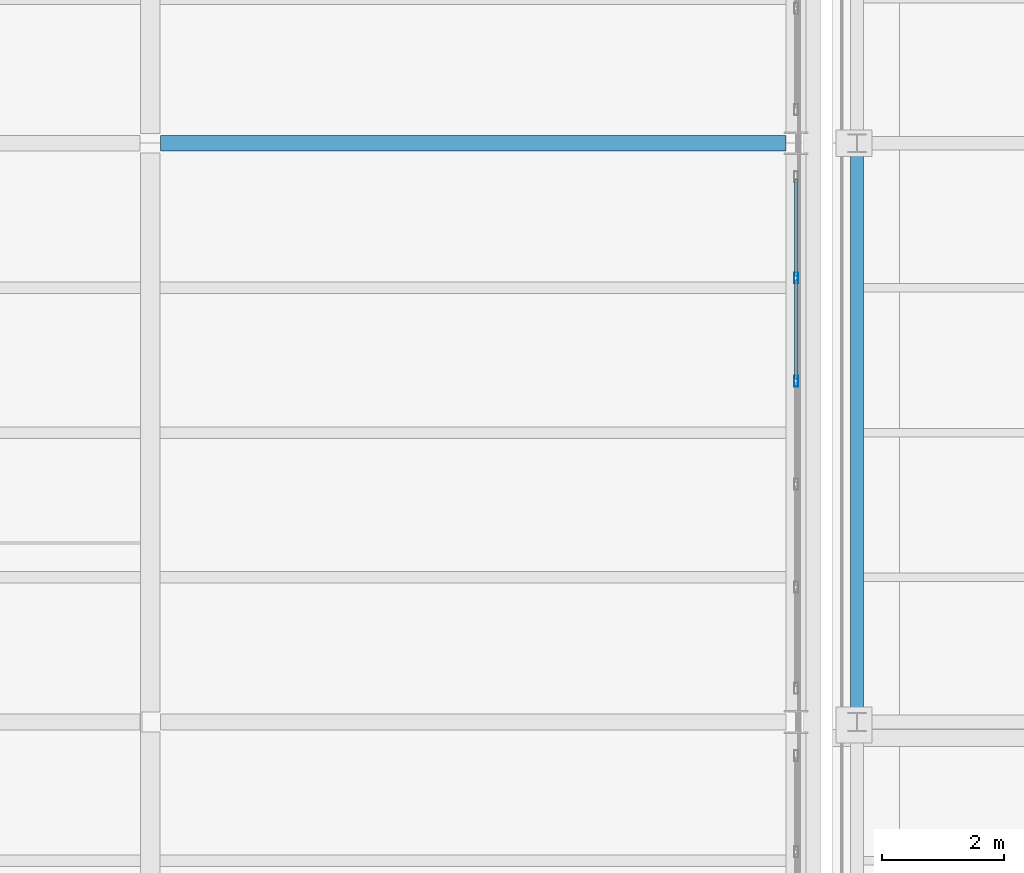
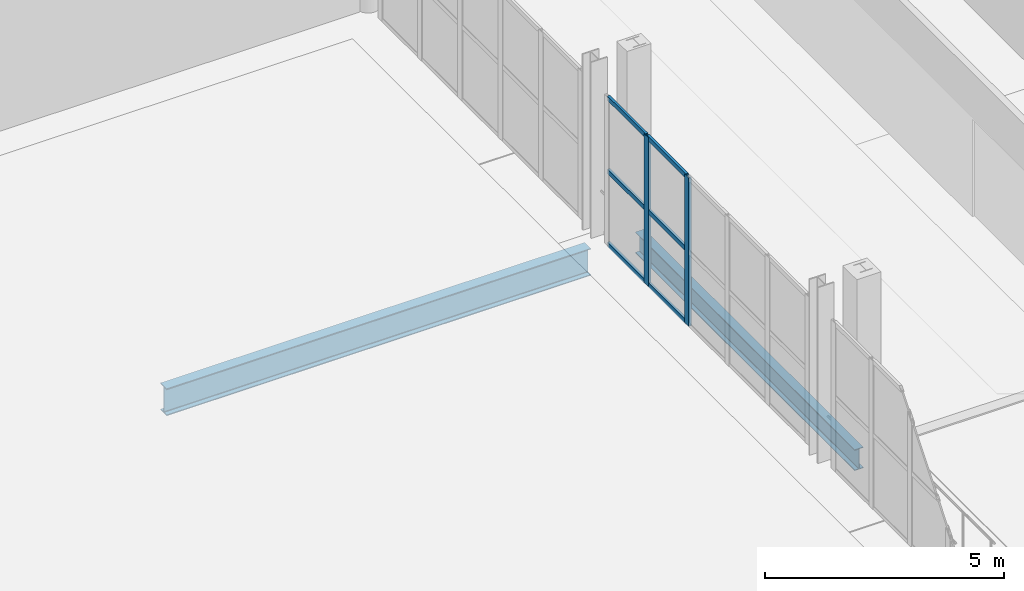
# One storey, part 89 of 156: 8 members, 2 beams, 1 element without a shape of its own.
"""IFC4 building model written with IfcOpenShell, lengths in metres."""

from ifc_helpers import new_model, si_unit, direction, frame, origin, origin_2d, place, context, subcontext, project, spatial, hollow_rectangle, i_section, extrude, material, material_profile, profile_set, type_object, element, aggregate, save


model = new_model("IFC4")

# Units and contexts
model_context = context("Model", 3, precision=1e-05, world=origin(), true_north=direction((0.0, 1.0)))
body_context = subcontext(model_context, "Body", "Model", "MODEL_VIEW")
ifc_project = project(units=[si_unit("LENGTHUNIT", "METRE"), si_unit("AREAUNIT", "SQUARE_METRE"), si_unit("VOLUMEUNIT", "CUBIC_METRE"), si_unit("PLANEANGLEUNIT", "RADIAN"), si_unit("MASSUNIT", "GRAM", prefix="KILO")], contexts=[model_context])

# Site, building, storey
site_placement = place(None, origin())
site = spatial("IfcSite", under=ifc_project, at=site_placement, CompositionType="ELEMENT")
building_placement = place(site_placement, origin())
building = spatial("IfcBuilding", under=site, at=building_placement, Name="Caurita Quay Ferry Terminal", CompositionType="ELEMENT")
storey_placement = place(building_placement, frame((0.0, 0.0, 5.39990234375)))
storey = spatial("IfcBuildingStorey", under=building, at=storey_placement, Name="L01", CompositionType="ELEMENT", Elevation=5.39990234375)

# Beams
ifc_material_1 = material(Name="Structural steel ASTM A992 Gr. 50", Category="steel")
ifc_material_profile_1 = material_profile(ifc_material_1, i_section(OverallWidth=0.210693359375, OverallDepth=0.53857421875, WebThickness=0.01171875, FlangeThickness=0.018798828125, FilletRadius=0.013916015625, at=origin_2d()), Name="W21X73")
ifc_profile_set_1 = profile_set([ifc_material_profile_1], Name="Structural steel ASTM A992 Gr. 50")
beam_type_1 = type_object("IfcBeamType", Name="BM-GR-W21A", PredefinedType="BEAM", material=ifc_profile_set_1)
beam_1_placement = place(storey_placement, frame((132.800048828125, 43.8544921875, -0.504150390625), z_axis=(0.0, 1.0, 0.0), x_axis=(-1.0, 0.0, 0.0)))
element("IfcBeam", 1, at=beam_1_placement, inside=storey, type_object=beam_type_1, Name="L01 Beam BM-V3H-L01-Y-1328-439", PredefinedType="BEAM", context=body_context, shape_type="SweptSolid", body=[
    extrude(i_section(OverallWidth=0.210693359375, OverallDepth=0.53857421875, WebThickness=0.01171875, FlangeThickness=0.018798828125, FilletRadius=0.013916015625, at=origin_2d()), origin(), (0.0, 0.0, 1.0), 9.191162109375),
])
ifc_material_profile_2 = material_profile(ifc_material_1, i_section(OverallWidth=0.256591796875, OverallDepth=0.693359375, WebThickness=0.014404296875, FlangeThickness=0.023681640625, FilletRadius=0.017822265625, at=origin_2d()), Name="W27X114")
ifc_profile_set_2 = profile_set([ifc_material_profile_2], Name="Structural steel ASTM A992 Gr. 50")
beam_type_2 = type_object("IfcBeamType", Name="BM-GR-W27A", PredefinedType="BEAM", material=ifc_profile_set_2)
beam_2_placement = place(storey_placement, frame((121.368408203125, 53.199951171875, -0.646484375), z_axis=(1.0, 0.0, 0.0), x_axis=(0.0, 1.0, 0.0)))
element("IfcBeam", 2, at=beam_2_placement, inside=storey, type_object=beam_type_2, Name="L01 Beam BM-V2-L01-X-1214-532", PredefinedType="BEAM", context=body_context, shape_type="SweptSolid", body=[
    extrude(i_section(OverallWidth=0.256591796875, OverallDepth=0.693359375, WebThickness=0.014404296875, FlangeThickness=0.023681640625, FilletRadius=0.017822265625, at=origin_2d()), origin(), (0.0, 0.0, 1.0), 10.26220703125),
])

# Curtain wall, members
ifc_material_2 = material(Name="Laminated solar-control insulated glass", Category="glass")
curtain_wall_type = type_object("IfcCurtainWallType", Name="CW-SYS-12", PredefinedType="NOTDEFINED", material=ifc_material_2)
curtain_wall_placement = place(storey_placement, origin())
curtain_wall = element("IfcCurtainWall", 3, at=curtain_wall_placement, inside=storey, type_object=curtain_wall_type, Name="Concourse Gable Curtain Wall 087", PredefinedType="NOTDEFINED")
ifc_material_3 = material(Name="Anodized aluminium 6063-T6", Category="aluminium")
ifc_material_profile_3 = material_profile(ifc_material_3, hollow_rectangle(XDim=0.06494140625, YDim=0.179931640625, WallThickness=0.00390625, at=origin_2d()), Name="ALU-MUL-65X180")
ifc_profile_set_3 = profile_set([ifc_material_profile_3], Name="Anodized aluminium 6063-T6")
member_type_1 = type_object("IfcMemberType", Name="CW-MUL-180", PredefinedType="MULLION", material=ifc_profile_set_3)
member_1_placement = place(storey_placement, frame((131.800048828125, 49.2958984375, 0.0), z_axis=(0.0, 0.0, 1.0), x_axis=(-1.0, 0.0, 0.0)))
member_1 = element("IfcMember", 4, at=member_1_placement, type_object=member_type_1, Name="CW-GBL-087 Mullion 4", PredefinedType="MULLION", context=body_context, shape_type="SweptSolid", body=[
    extrude(hollow_rectangle(XDim=0.06494140625, YDim=0.179931640625, WallThickness=0.00390625, at=origin_2d()), origin(), (0.0, 0.0, 1.0), 3.800048828125),
])
member_2_placement = place(storey_placement, frame((131.800048828125, 50.988037109375, 0.0), z_axis=(0.0, 0.0, 1.0), x_axis=(-1.0, 0.0, 0.0)))
member_2 = element("IfcMember", 5, at=member_2_placement, type_object=member_type_1, Name="CW-GBL-087 Mullion 5", PredefinedType="MULLION", context=body_context, shape_type="SweptSolid", body=[
    extrude(hollow_rectangle(XDim=0.06494140625, YDim=0.179931640625, WallThickness=0.00390625, at=origin_2d()), origin(), (0.0, 0.0, 1.0), 3.800048828125),
])
ifc_material_profile_4 = material_profile(ifc_material_3, hollow_rectangle(XDim=0.06005859375, YDim=0.114990234375, WallThickness=0.00341796875, at=origin_2d()), Name="ALU-TRN-60X115")
ifc_profile_set_4 = profile_set([ifc_material_profile_4], Name="Anodized aluminium 6063-T6")
member_type_2 = type_object("IfcMemberType", Name="CW-TRN-115", PredefinedType="USERDEFINED", material=ifc_profile_set_4)
member_3_placement = place(storey_placement, frame((131.800048828125, 49.326416015625, 0.030029296875), z_axis=(0.0, 1.0, 0.0), x_axis=(-1.0, 0.0, 0.0)))
member_3 = element("IfcMember", 6, at=member_3_placement, type_object=member_type_2, Name="CW-GBL-087 Transom 10", ObjectType="TRANSOM", PredefinedType="USERDEFINED", context=body_context, shape_type="SweptSolid", body=[
    extrude(hollow_rectangle(XDim=0.06005859375, YDim=0.114990234375, WallThickness=0.00341796875, at=origin_2d()), origin(), (0.0, 0.0, 1.0), 1.631103515625),
])
member_4_placement = place(storey_placement, frame((131.800048828125, 49.326416015625, 1.900146484375), z_axis=(0.0, 1.0, 0.0), x_axis=(-1.0, 0.0, 0.0)))
member_4 = element("IfcMember", 7, at=member_4_placement, type_object=member_type_2, Name="CW-GBL-087 Transom 11", ObjectType="TRANSOM", PredefinedType="USERDEFINED", context=body_context, shape_type="SweptSolid", body=[
    extrude(hollow_rectangle(XDim=0.06005859375, YDim=0.114990234375, WallThickness=0.00341796875, at=origin_2d()), origin(), (0.0, 0.0, 1.0), 1.631103515625),
])
member_5_placement = place(storey_placement, frame((131.800048828125, 49.326416015625, 3.77001953125), z_axis=(0.0, 1.0, 0.0), x_axis=(-1.0, 0.0, 0.0)))
member_5 = element("IfcMember", 8, at=member_5_placement, type_object=member_type_2, Name="CW-GBL-087 Transom 12", ObjectType="TRANSOM", PredefinedType="USERDEFINED", context=body_context, shape_type="SweptSolid", body=[
    extrude(hollow_rectangle(XDim=0.06005859375, YDim=0.114990234375, WallThickness=0.00341796875, at=origin_2d()), origin(), (0.0, 0.0, 1.0), 1.631103515625),
])
member_6_placement = place(storey_placement, frame((131.800048828125, 51.0185546875, 0.030029296875), z_axis=(0.0, 1.0, 0.0), x_axis=(-1.0, 0.0, 0.0)))
member_6 = element("IfcMember", 9, at=member_6_placement, type_object=member_type_2, Name="CW-GBL-087 Transom 13", ObjectType="TRANSOM", PredefinedType="USERDEFINED", context=body_context, shape_type="SweptSolid", body=[
    extrude(hollow_rectangle(XDim=0.06005859375, YDim=0.114990234375, WallThickness=0.00341796875, at=origin_2d()), origin(), (0.0, 0.0, 1.0), 1.598388671875),
])
member_7_placement = place(storey_placement, frame((131.800048828125, 51.0185546875, 1.900146484375), z_axis=(0.0, 1.0, 0.0), x_axis=(-1.0, 0.0, 0.0)))
member_7 = element("IfcMember", 10, at=member_7_placement, type_object=member_type_2, Name="CW-GBL-087 Transom 14", ObjectType="TRANSOM", PredefinedType="USERDEFINED", context=body_context, shape_type="SweptSolid", body=[
    extrude(hollow_rectangle(XDim=0.06005859375, YDim=0.114990234375, WallThickness=0.00341796875, at=origin_2d()), origin(), (0.0, 0.0, 1.0), 1.598388671875),
])
member_8_placement = place(storey_placement, frame((131.800048828125, 51.0185546875, 3.77001953125), z_axis=(0.0, 1.0, 0.0), x_axis=(-1.0, 0.0, 0.0)))
member_8 = element("IfcMember", 11, at=member_8_placement, type_object=member_type_2, Name="CW-GBL-087 Transom 15", ObjectType="TRANSOM", PredefinedType="USERDEFINED", context=body_context, shape_type="SweptSolid", body=[
    extrude(hollow_rectangle(XDim=0.06005859375, YDim=0.114990234375, WallThickness=0.00341796875, at=origin_2d()), origin(), (0.0, 0.0, 1.0), 1.598388671875),
])
aggregate(curtain_wall, [member_1, member_2, member_3, member_4, member_5, member_6, member_7, member_8])

save(model, "model.ifc")
